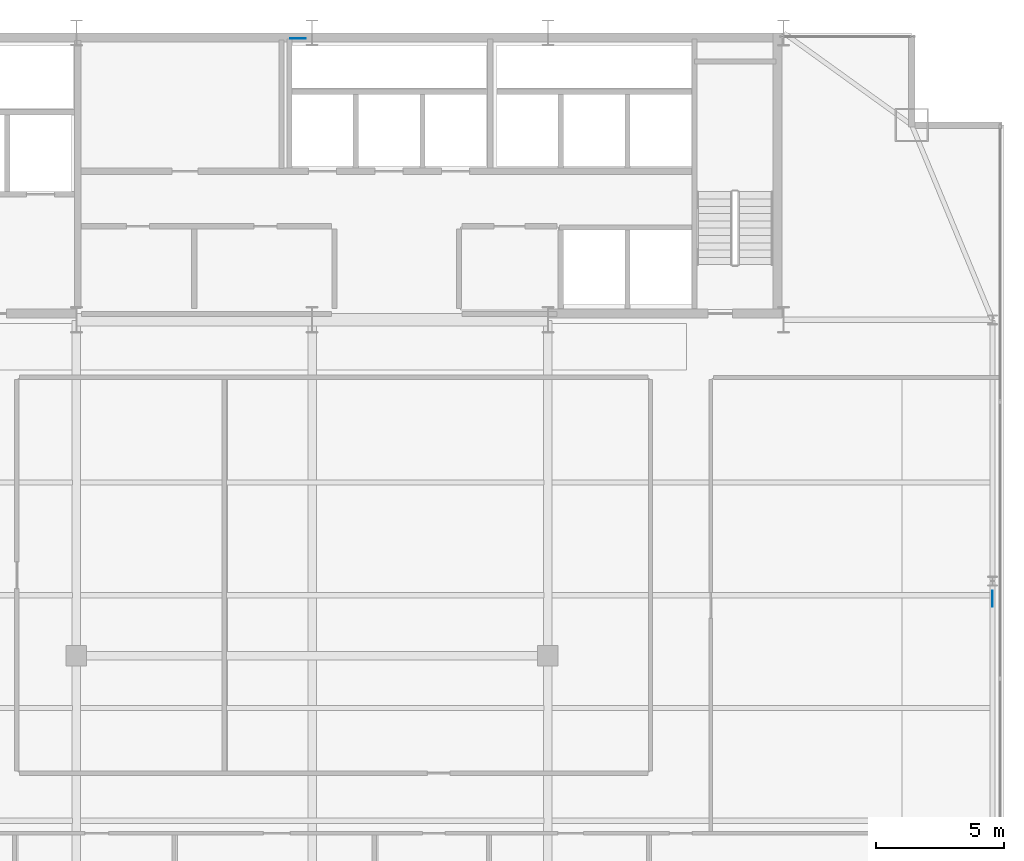
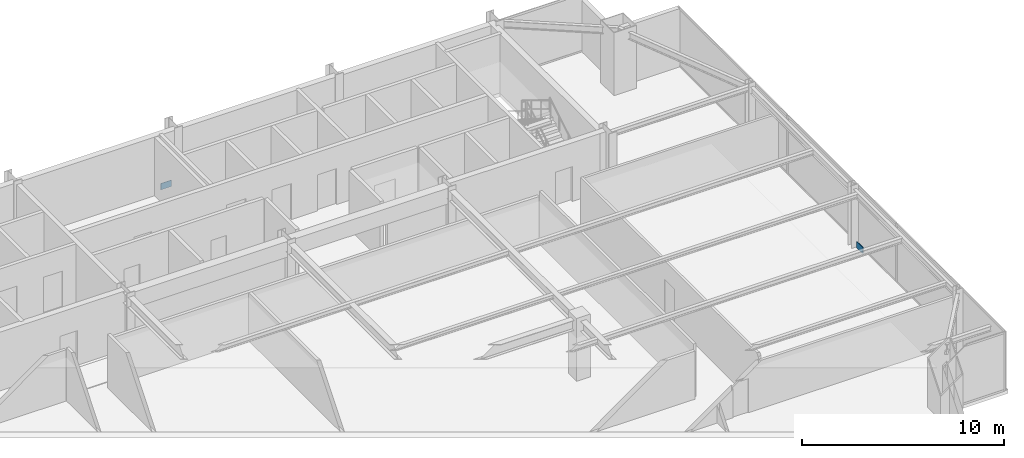
# One storey, part 25 of 30: 2 plates.
"""IFC4 building model written with IfcOpenShell, lengths in metres."""

import ifcopenshell
import ifcopenshell.guid

model = None  # the IFC model being written
_history = None  # IfcOwnerHistory: only IFC2X3 demands one
_inside = {}  # id of a spatial element -> (the spatial element, [elements in it])
_under = {}  # id of a project, library or spatial element -> (it, [spatial elements below it])
_declared = {}  # id of a project -> (the project, [libraries it declares])
_typed = {}  # id of a type object -> (the type object, [elements of that type])
_made_of = {}  # id of a material, layer set ... -> (it, [elements and type objects made of it])


def new_model(schema):
    """Start an empty IFC model of exactly this schema.

    Asked for "IFC4X3", IfcOpenShell would pick the latest addendum, in which some entities
    have other attributes; the version numbers below select the first issue.
    IFC2X3 requires an IfcOwnerHistory on every rooted entity: one is made here for all.
    """
    global model, _history
    if schema == "IFC4X3":
        model = ifcopenshell.file(schema_version=(4, 3, 0, 0))
    else:
        model = ifcopenshell.file(schema=schema)
    _inside.clear()
    _under.clear()
    _declared.clear()
    _typed.clear()
    _made_of.clear()
    _history = None
    if model.schema == "IFC2X3":
        org = make("IfcOrganization", Name="unknown")
        user = make(
            "IfcPersonAndOrganization",
            ThePerson=make("IfcPerson", FamilyName="unknown"),
            TheOrganization=org,
        )
        app = make(
            "IfcApplication",
            ApplicationDeveloper=org,
            Version="unknown",
            ApplicationFullName="unknown",
            ApplicationIdentifier="unknown",
        )
        _history = make(
            "IfcOwnerHistory",
            OwningUser=user,
            OwningApplication=app,
            ChangeAction="ADDED",
            CreationDate=0,
        )
    return model


def make(cls, **values):
    """One entity of the class cls with the attributes given. An attribute that is None is left unset."""
    return model.create_entity(
        cls, **{name: value for name, value in values.items() if value is not None}
    )


def rooted(cls, **values):
    """An entity with a GlobalId (a new one), such as an element, a storey or a relation."""
    return make(cls, GlobalId=ifcopenshell.guid.new(), OwnerHistory=_history, **values)


def si_unit(unit_type, name, prefix=None):
    """IfcSIUnit, for example si_unit("LENGTHUNIT", "METRE", prefix="MILLI")."""
    return make("IfcSIUnit", UnitType=unit_type, Prefix=prefix, Name=name)


def assignment(units):
    """IfcUnitAssignment: the units of a project."""
    return None if units is None else make("IfcUnitAssignment", Units=units)


def point(xyz):
    """IfcCartesianPoint."""
    return None if xyz is None else make("IfcCartesianPoint", Coordinates=xyz)


def direction(xyz):
    """IfcDirection."""
    return None if xyz is None else make("IfcDirection", DirectionRatios=xyz)


def frame(location, z_axis=None, x_axis=None):
    """IfcAxis2Placement3D, a coordinate frame: its origin and axes. An axis left out is left unset."""
    return make(
        "IfcAxis2Placement3D",
        Location=point(location),
        Axis=direction(z_axis),
        RefDirection=direction(x_axis),
    )


def frame_2d(location, x_axis=None):
    """IfcAxis2Placement2D, a coordinate frame in the plane: its origin and x axis."""
    return make(
        "IfcAxis2Placement2D", Location=point(location), RefDirection=direction(x_axis)
    )


def origin():
    """The frame at (0, 0, 0) with its axes left unset."""
    return frame((0.0, 0.0, 0.0))


def origin_2d():
    """The frame at (0, 0) in the plane with its x axis left unset."""
    return frame_2d((0.0, 0.0))


def place(relative_to, where):
    """IfcLocalPlacement: puts the frame where relative to a parent placement (None: the world)."""
    return make(
        "IfcLocalPlacement", PlacementRelTo=relative_to, RelativePlacement=where
    )


def context(
    kind, dimensions, precision=None, world=None, true_north=None, identifier=None
):
    """IfcGeometricRepresentationContext, for example the 3D "Model" context."""
    return make(
        "IfcGeometricRepresentationContext",
        ContextIdentifier=identifier,
        ContextType=kind,
        CoordinateSpaceDimension=dimensions,
        Precision=precision,
        WorldCoordinateSystem=world,
        TrueNorth=true_north,
    )


def subcontext(parent, identifier, kind, view, scale=None):
    """IfcGeometricRepresentationSubContext, for example "Body" below "Model"."""
    return make(
        "IfcGeometricRepresentationSubContext",
        ContextIdentifier=identifier,
        ContextType=kind,
        ParentContext=parent,
        TargetScale=scale,
        TargetView=view,
    )


def project(units=None, contexts=None):
    """IfcProject with its units and contexts."""
    return rooted(
        "IfcProject",
        Name="project",
        RepresentationContexts=contexts,
        UnitsInContext=assignment(units),
    )


def spatial(cls, under=None, at=None, **own):
    """A site, building, storey or space (cls), placed at a placement, below another one or the project."""
    s = rooted(cls, ObjectPlacement=at, **own)
    if under is not None:
        _under.setdefault(under.id(), (under, []))[1].append(s)
    return s


def profile(cls, at=None, kind="AREA", **sizes):
    """A parametric profile (cls). Its sizes go by their IFC names, for example OverallWidth=200.0."""
    return make(cls, ProfileType=kind, Position=at, **sizes)


def rectangle(**sizes):
    """IfcRectangleProfileDef."""
    return profile("IfcRectangleProfileDef", **sizes)


def extrude(swept, where, along, depth):
    """IfcExtrudedAreaSolid: the profile swept, set in the frame where, extruded along a direction by depth."""
    return make(
        "IfcExtrudedAreaSolid",
        SweptArea=swept,
        Position=where,
        ExtrudedDirection=direction(along),
        Depth=depth,
    )


def shape(context_of_items, identifier, shape_type, items):
    """IfcShapeRepresentation: the items that make up one representation, for example the "Body"."""
    return make(
        "IfcShapeRepresentation",
        ContextOfItems=context_of_items,
        RepresentationIdentifier=identifier,
        RepresentationType=shape_type,
        Items=items,
    )


def source(mapping_origin, context_of_items, identifier, shape_type, items):
    """IfcRepresentationMap: a shape defined once, which mapped items show again and again."""
    return make(
        "IfcRepresentationMap",
        MappingOrigin=mapping_origin,
        MappedRepresentation=shape(context_of_items, identifier, shape_type, items),
    )


def transform(
    local_origin,
    x_axis=None,
    y_axis=None,
    z_axis=None,
    scale=None,
    scale2=None,
    scale3=None,
    uniform=True,
):
    """IfcCartesianTransformationOperator3D, or its non-uniform kind. x_axis, y_axis, z_axis: its Axis1, 2, 3."""
    if uniform:
        return make(
            "IfcCartesianTransformationOperator3D",
            Axis1=direction(x_axis),
            Axis2=direction(y_axis),
            LocalOrigin=point(local_origin),
            Scale=scale,
            Axis3=direction(z_axis),
        )
    return make(
        "IfcCartesianTransformationOperator3DnonUniform",
        Axis1=direction(x_axis),
        Axis2=direction(y_axis),
        LocalOrigin=point(local_origin),
        Scale=scale,
        Axis3=direction(z_axis),
        Scale2=scale2,
        Scale3=scale3,
    )


def mapped(mapping_source, mapping_target):
    """IfcMappedItem: shows the shape of a source again, moved by a transform."""
    return make(
        "IfcMappedItem", MappingSource=mapping_source, MappingTarget=mapping_target
    )


def material(Name=None, Category=None):
    """IfcMaterial."""
    return make("IfcMaterial", Name=Name, Category=Category)


def layer(
    of_material, thickness, ventilated=None, Name=None, Category=None, Priority=None
):
    """IfcMaterialLayer: one layer of a wall or slab, of a material (None: an air gap)."""
    return make(
        "IfcMaterialLayer",
        Material=of_material,
        LayerThickness=thickness,
        IsVentilated=ventilated,
        Name=Name,
        Category=Category,
        Priority=Priority,
    )


def layer_set(layers, Name=None):
    """IfcMaterialLayerSet."""
    return make("IfcMaterialLayerSet", MaterialLayers=layers, LayerSetName=Name)


def made_of(thing, what):
    """Note that an element or type object is made of a material, layer set ...; save() writes the relation."""
    if what is not None:
        _made_of.setdefault(what.id(), (what, []))[1].append(thing)
    return thing


def type_object(cls, material=None, **own):
    """A type object (cls), such as IfcWallType, which elements share."""
    return made_of(rooted(cls, **own), material)


def type_shapes(of_type, sources):
    """Give a type object the sources (RepresentationMaps) that its elements show as mapped items."""
    of_type.RepresentationMaps = sources


def element(
    cls,
    number,
    at=None,
    inside=None,
    cuts=None,
    type_object=None,
    material=None,
    context=None,
    identifier="Body",
    shape_type=None,
    held_by="IfcProductDefinitionShape",
    body=None,
    shapes=None,
    **own,
):
    """One element of the class cls, such as IfcWall. Its Tag is "e" and its number.

    at: its placement. inside: the storey or other place that contains it. cuts: it is an
    opening in that element (IfcRelVoidsElement). A single representation is given by context,
    identifier, shape_type and body (its items); several are given by shapes. held_by: the class
    of the entity that holds the representations. save() writes the other relations.
    """
    e = rooted(cls, Tag="e%d" % number, ObjectPlacement=at, **own)
    if body is not None:
        shapes = [shape(context, identifier, shape_type, body)]
    if shapes is not None:
        e.Representation = make(held_by, Representations=shapes)
    if inside is not None:
        _inside.setdefault(inside.id(), (inside, []))[1].append(e)
    if cuts is not None:
        rooted(
            "IfcRelVoidsElement", RelatingBuildingElement=cuts, RelatedOpeningElement=e
        )
    if type_object is not None:
        _typed.setdefault(type_object.id(), (type_object, []))[1].append(e)
    return made_of(e, material)


def aggregate(whole, parts):
    """IfcRelAggregates: a whole, such as a stair, and the parts it consists of."""
    return rooted("IfcRelAggregates", RelatingObject=whole, RelatedObjects=parts)


def save(model, path):
    """Write the relations noted so far, then the file.

    IfcRelAggregates (storeys below a building ...), IfcRelContainedInSpatialStructure (elements
    in a storey), IfcRelDefinesByType, IfcRelAssociatesMaterial and IfcRelDeclares: one each for
    every whole, place, type object, material and project.
    """
    for whole, parts in _under.values():
        aggregate(whole, parts)
    for where, things in _inside.values():
        rooted(
            "IfcRelContainedInSpatialStructure",
            RelatedElements=things,
            RelatingStructure=where,
        )
    for kind, things in _typed.values():
        rooted("IfcRelDefinesByType", RelatedObjects=things, RelatingType=kind)
    for what, things in _made_of.values():
        rooted("IfcRelAssociatesMaterial", RelatedObjects=things, RelatingMaterial=what)
    for by, libraries in _declared.values():
        rooted("IfcRelDeclares", RelatingContext=by, RelatedDefinitions=libraries)
    model.write(path)


model = new_model("IFC4")

# Units and contexts
model_context = context("Model", 3, precision=1e-05, world=origin(), true_north=direction((0.0, 1.0)))
body_context = subcontext(model_context, "Body", "Model", "MODEL_VIEW")
ifc_project = project(units=[si_unit("LENGTHUNIT", "METRE"), si_unit("AREAUNIT", "SQUARE_METRE"), si_unit("VOLUMEUNIT", "CUBIC_METRE"), si_unit("PLANEANGLEUNIT", "RADIAN"), si_unit("MASSUNIT", "GRAM", prefix="KILO")], contexts=[model_context])

# Site, building, storey
site_placement = place(None, origin())
site = spatial("IfcSite", under=ifc_project, at=site_placement, CompositionType="ELEMENT")
building_placement = place(site_placement, origin())
building = spatial("IfcBuilding", under=site, at=building_placement, Name="Varnel Quay Broadcast Tower", CompositionType="ELEMENT")
storey_placement = place(building_placement, frame((0.0, 0.0, 168.60009765625)))
storey = spatial("IfcBuildingStorey", under=building, at=storey_placement, Name="L41", CompositionType="ELEMENT", Elevation=168.60009765625)

# Plates
ifc_material = material(Name="Structural Steel CSA G40.21 350WT", Category="steel")
ifc_layer = layer(ifc_material, 0.031982421875, Name="Structural Steel CSA G40.21 350WT")
ifc_layer_set = layer_set([ifc_layer], Name="Structural Steel CSA G40.21 350WT")
plate_type = type_object("IfcPlateType", Name="Plate_EndCap", PredefinedType="USERDEFINED", material=ifc_layer_set)
shared_shape = source(origin(), body_context, "Body", "SweptSolid", [
    extrude(rectangle(XDim=0.6201171875, YDim=0.031982421875, at=origin_2d()), origin(), (0.0, 0.0, 1.0), 0.3798828125),
])
type_shapes(plate_type, [shared_shape])
for number, where, z_axis, x_axis, name in (
    (1, (33.447021484375, 46.580078125, 0.133056640625), (0.0, 0.0, 1.0), (1.0, 0.0, 0.0), "Zone 3 Mega-Brace N-CT2 Diag B2 End Connection Plate P0"),
    (2, (60.550048828125, 24.716064453125, 0.107666015625), (0.0, 0.0, 1.0), (0.0, 1.0, 0.0), "Zone 3 Mega-Brace E-FT2 Diag B2 End Connection Plate P0"),
):
    element("IfcPlate", number, at=place(storey_placement, frame(where, z_axis=z_axis, x_axis=x_axis)), inside=storey, type_object=plate_type, Name=name, ObjectType="CAP_PLATE", PredefinedType="USERDEFINED", context=body_context, shape_type="MappedRepresentation", body=[
        mapped(shared_shape, transform((0.0, 0.0, 0.0), x_axis=(1.0, 0.0, 0.0), y_axis=(0.0, 1.0, 0.0), z_axis=(0.0, 0.0, 1.0), scale=1.0)),
    ])

save(model, "model.ifc")
